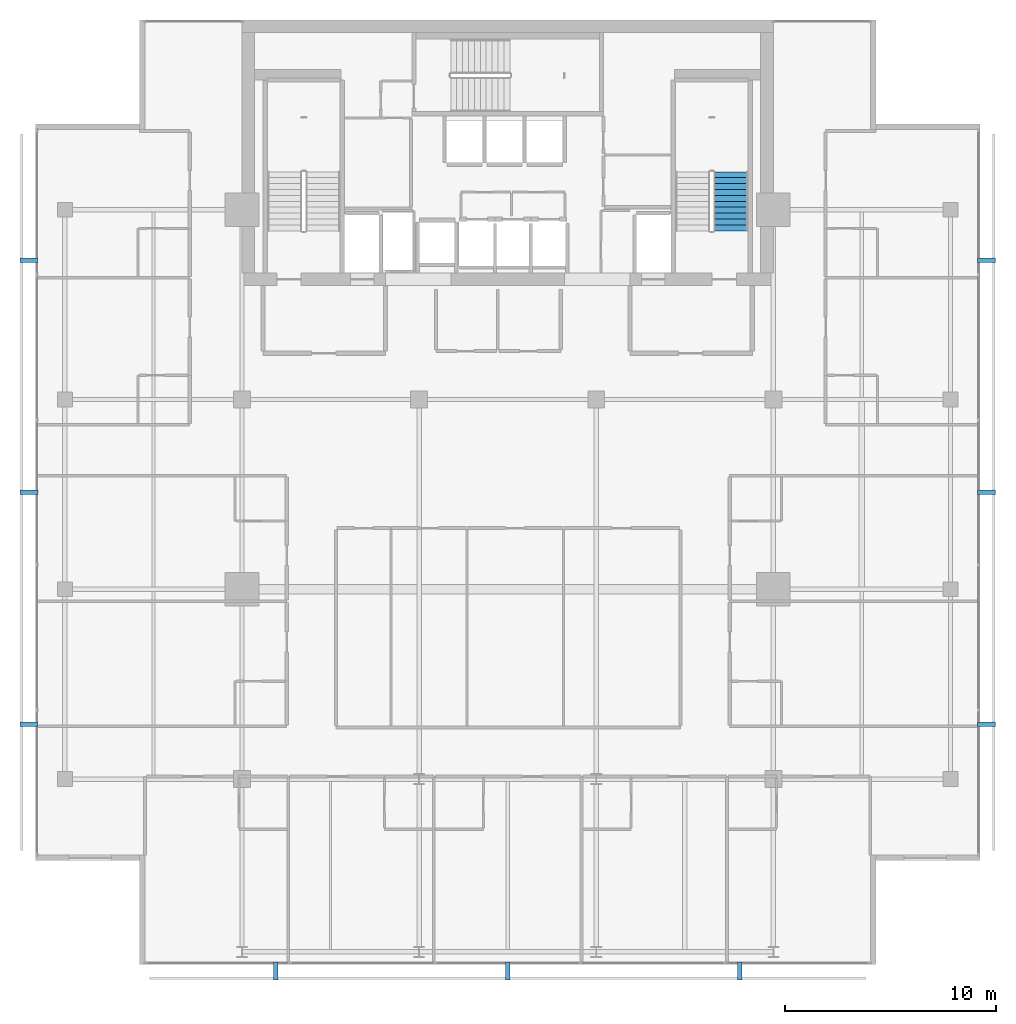
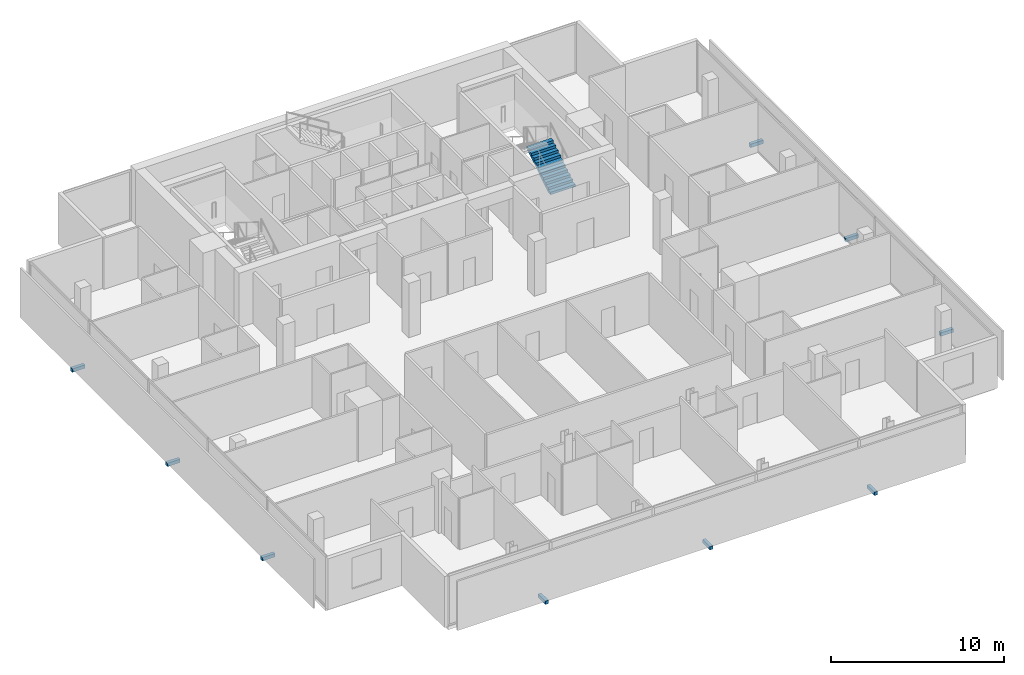
# One storey, part 24 of 26: 9 discrete accessories, 1 stair flight, 1 element without a shape of its own.
"""IFC4 building model written with IfcOpenShell, lengths in metres."""

from ifc_helpers import new_model, si_unit, direction, frame, origin, origin_2d, place, context, subcontext, project, spatial, polyline, rectangle, outline, extrude, material, type_object, element, aggregate, save


model = new_model("IFC4")

# Units and contexts
model_context = context("Model", 3, precision=1e-05, world=origin(), true_north=direction((0.0, 1.0)))
body_context = subcontext(model_context, "Body", "Model", "MODEL_VIEW")
ifc_project = project(units=[si_unit("LENGTHUNIT", "METRE"), si_unit("AREAUNIT", "SQUARE_METRE"), si_unit("VOLUMEUNIT", "CUBIC_METRE"), si_unit("PLANEANGLEUNIT", "RADIAN"), si_unit("MASSUNIT", "GRAM", prefix="KILO")], contexts=[model_context])

# Site, building, storey
site_placement = place(None, origin())
site = spatial("IfcSite", under=ifc_project, at=site_placement, CompositionType="ELEMENT")
building_placement = place(site_placement, origin())
building = spatial("IfcBuilding", under=site, at=building_placement, Name="Maruvema Waterfront Hotel and Observation Tower", CompositionType="ELEMENT")
storey_placement = place(building_placement, frame((0.0, 0.0, 266.35009765625)))
storey = spatial("IfcBuildingStorey", under=building, at=storey_placement, Name="L65", CompositionType="ELEMENT", Elevation=266.35009765625)

# Stair, stair flight
ifc_material_1 = material(Name="Concrete C50/60", Category="concrete")
stair_type = type_object("IfcStairType", Name="Dogleg Exit Stair 1650 mm (22R x 175.0 mm)", PredefinedType="HALF_TURN_STAIR", material=ifc_material_1)
stair_placement = place(storey_placement, origin())
stair = element("IfcStair", 1, at=stair_placement, inside=storey, type_object=stair_type, Name="L65 ST-03", PredefinedType="HALF_TURN_STAIR")
ifc_material_2 = material(Name="Concrete C50/60", Category="concrete")
stair_flight_type = type_object("IfcStairFlightType", Name="Reinforced Concrete Stair Flight 1650 mm (11R x 175.0 mm)", PredefinedType="STRAIGHT", material=ifc_material_2)
stair_flight_placement = place(storey_placement, frame((48.375, 44.0, 0.0), z_axis=(0.0, 0.0, 1.0), x_axis=(0.0, 1.0, 0.0)))
stair_flight = element("IfcStairFlight", 2, at=stair_flight_placement, type_object=stair_flight_type, Name="ST-03 flight 1", NumberOfRisers=11, NumberOfTreads=10, PredefinedType="STRAIGHT", RiserHeight=0.175, TreadLength=0.28, context=body_context, shape_type="SweptSolid", body=[
    extrude(outline(polyline([(0.0, 0.0), (0.0, 0.175048828125), (0.280029296875, 0.175048828125), (0.280029296875, 0.35009765625), (0.56005859375, 0.35009765625), (0.56005859375, 0.52490234375), (0.840087890625, 0.52490234375), (0.840087890625, 0.699951171875), (1.1201171875, 0.699951171875), (1.1201171875, 0.875), (1.39990234375, 0.875), (1.39990234375, 1.050048828125), (1.679931640625, 1.050048828125), (1.679931640625, 1.22509765625), (1.9599609375, 1.22509765625), (1.9599609375, 1.39990234375), (2.239990234375, 1.39990234375), (2.239990234375, 1.574951171875), (2.52001953125, 1.574951171875), (2.52001953125, 1.75), (2.800048828125, 1.75), (2.800048828125, 1.925048828125), (2.800048828125, 1.5732421875), (0.28271484375, 0.0), (0.0, 0.0)])), frame((0.0, 0.824951171875, 0.0), z_axis=(0.0, -1.0, 0.0), x_axis=(1.0, 0.0, 0.0)), (0.0, 0.0, 1.0), 1.64990234375),
])
aggregate(stair, [stair_flight])

# Discrete accessories
ifc_material_3 = material(Name="Duplex stainless steel Grade 2205", Category="steel")
discrete_accessory_type = type_object("IfcDiscreteAccessoryType", Name="Double-Skin Cavity Stainless Outrigger Bracket", PredefinedType="BRACKET", material=ifc_material_3)
for number, where, z_axis, x_axis, name in (
    (3, (26.7919921875, 8.89990234375, -0.14013671875), (0.0, 0.0, 1.0), (1.0, 0.0, 0.0), "L65 Outer Skin Support Bracket 1"),
    (4, (37.800048828125, 8.89990234375, -0.14013671875), (0.0, 0.0, 1.0), (1.0, 0.0, 0.0), "L65 Outer Skin Support Bracket 2"),
    (5, (48.80810546875, 8.89990234375, -0.14013671875), (0.0, 0.0, 1.0), (1.0, 0.0, 0.0), "L65 Outer Skin Support Bracket 3"),
    (6, (60.5, 20.592041015625, -0.14013671875), (0.0, 0.0, 1.0), (0.0, 1.0, 0.0), "L65 Outer Skin Support Bracket 1"),
    (7, (60.5, 31.60009765625, -0.14013671875), (0.0, 0.0, 1.0), (0.0, 1.0, 0.0), "L65 Outer Skin Support Bracket 2"),
    (8, (60.5, 42.60791015625, -0.14013671875), (0.0, 0.0, 1.0), (0.0, 1.0, 0.0), "L65 Outer Skin Support Bracket 3"),
    (9, (15.10009765625, 42.60791015625, -0.14013671875), (0.0, 0.0, 1.0), (0.0, -1.0, 0.0), "L65 Outer Skin Support Bracket 1"),
    (10, (15.10009765625, 31.60009765625, -0.14013671875), (0.0, 0.0, 1.0), (0.0, -1.0, 0.0), "L65 Outer Skin Support Bracket 2"),
    (11, (15.10009765625, 20.592041015625, -0.14013671875), (0.0, 0.0, 1.0), (0.0, -1.0, 0.0), "L65 Outer Skin Support Bracket 3"),
):
    element("IfcDiscreteAccessory", number, at=place(storey_placement, frame(where, z_axis=z_axis, x_axis=x_axis)), inside=storey, type_object=discrete_accessory_type, Name=name, PredefinedType="BRACKET", context=body_context, shape_type="SweptSolid", body=[
        extrude(rectangle(XDim=0.219970703125, YDim=0.860107421875, at=origin_2d()), origin(), (0.0, 0.0, 1.0), 0.239990234375),
    ])

save(model, "model.ifc")
